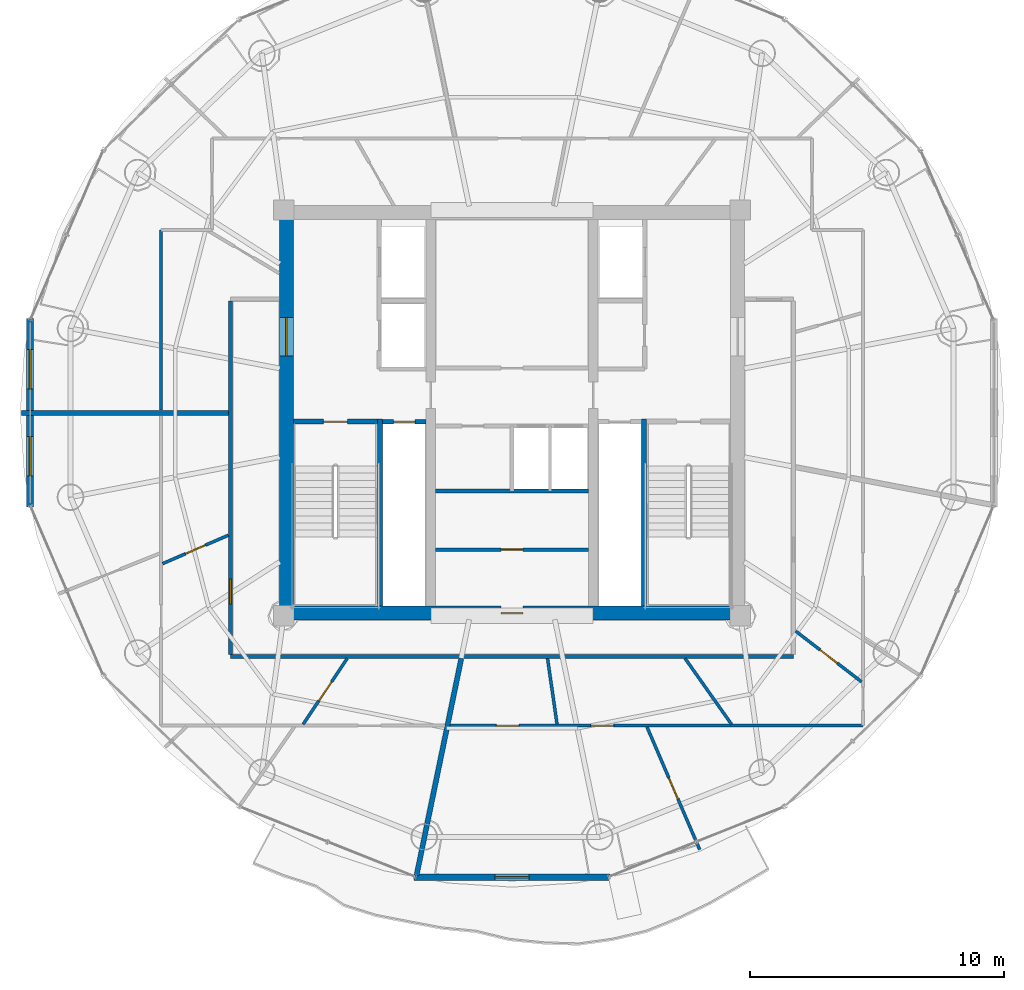
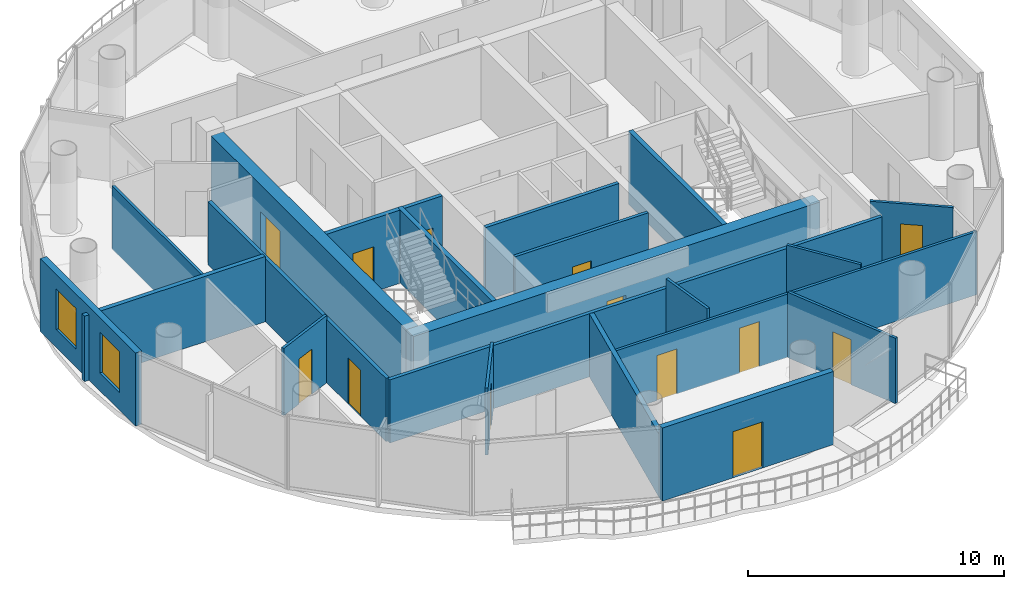
# One storey, part 17 of 23: 22 walls, 13 doors, 2 windows, 15 openings.
"""IFC4 building model written with IfcOpenShell, lengths in metres."""

import ifcopenshell
import ifcopenshell.guid

model = None  # the IFC model being written
_history = None  # IfcOwnerHistory: only IFC2X3 demands one
_inside = {}  # id of a spatial element -> (the spatial element, [elements in it])
_under = {}  # id of a project, library or spatial element -> (it, [spatial elements below it])
_declared = {}  # id of a project -> (the project, [libraries it declares])
_typed = {}  # id of a type object -> (the type object, [elements of that type])
_made_of = {}  # id of a material, layer set ... -> (it, [elements and type objects made of it])


def new_model(schema):
    """Start an empty IFC model of exactly this schema.

    Asked for "IFC4X3", IfcOpenShell would pick the latest addendum, in which some entities
    have other attributes; the version numbers below select the first issue.
    IFC2X3 requires an IfcOwnerHistory on every rooted entity: one is made here for all.
    """
    global model, _history
    if schema == "IFC4X3":
        model = ifcopenshell.file(schema_version=(4, 3, 0, 0))
    else:
        model = ifcopenshell.file(schema=schema)
    _inside.clear()
    _under.clear()
    _declared.clear()
    _typed.clear()
    _made_of.clear()
    _history = None
    if model.schema == "IFC2X3":
        org = make("IfcOrganization", Name="unknown")
        user = make(
            "IfcPersonAndOrganization",
            ThePerson=make("IfcPerson", FamilyName="unknown"),
            TheOrganization=org,
        )
        app = make(
            "IfcApplication",
            ApplicationDeveloper=org,
            Version="unknown",
            ApplicationFullName="unknown",
            ApplicationIdentifier="unknown",
        )
        _history = make(
            "IfcOwnerHistory",
            OwningUser=user,
            OwningApplication=app,
            ChangeAction="ADDED",
            CreationDate=0,
        )
    return model


def make(cls, **values):
    """One entity of the class cls with the attributes given. An attribute that is None is left unset."""
    return model.create_entity(
        cls, **{name: value for name, value in values.items() if value is not None}
    )


def rooted(cls, **values):
    """An entity with a GlobalId (a new one), such as an element, a storey or a relation."""
    return make(cls, GlobalId=ifcopenshell.guid.new(), OwnerHistory=_history, **values)


def si_unit(unit_type, name, prefix=None):
    """IfcSIUnit, for example si_unit("LENGTHUNIT", "METRE", prefix="MILLI")."""
    return make("IfcSIUnit", UnitType=unit_type, Prefix=prefix, Name=name)


def assignment(units):
    """IfcUnitAssignment: the units of a project."""
    return None if units is None else make("IfcUnitAssignment", Units=units)


def point(xyz):
    """IfcCartesianPoint."""
    return None if xyz is None else make("IfcCartesianPoint", Coordinates=xyz)


def direction(xyz):
    """IfcDirection."""
    return None if xyz is None else make("IfcDirection", DirectionRatios=xyz)


def frame(location, z_axis=None, x_axis=None):
    """IfcAxis2Placement3D, a coordinate frame: its origin and axes. An axis left out is left unset."""
    return make(
        "IfcAxis2Placement3D",
        Location=point(location),
        Axis=direction(z_axis),
        RefDirection=direction(x_axis),
    )


def frame_2d(location, x_axis=None):
    """IfcAxis2Placement2D, a coordinate frame in the plane: its origin and x axis."""
    return make(
        "IfcAxis2Placement2D", Location=point(location), RefDirection=direction(x_axis)
    )


def origin():
    """The frame at (0, 0, 0) with its axes left unset."""
    return frame((0.0, 0.0, 0.0))


def place(relative_to, where):
    """IfcLocalPlacement: puts the frame where relative to a parent placement (None: the world)."""
    return make(
        "IfcLocalPlacement", PlacementRelTo=relative_to, RelativePlacement=where
    )


def context(
    kind, dimensions, precision=None, world=None, true_north=None, identifier=None
):
    """IfcGeometricRepresentationContext, for example the 3D "Model" context."""
    return make(
        "IfcGeometricRepresentationContext",
        ContextIdentifier=identifier,
        ContextType=kind,
        CoordinateSpaceDimension=dimensions,
        Precision=precision,
        WorldCoordinateSystem=world,
        TrueNorth=true_north,
    )


def subcontext(parent, identifier, kind, view, scale=None):
    """IfcGeometricRepresentationSubContext, for example "Body" below "Model"."""
    return make(
        "IfcGeometricRepresentationSubContext",
        ContextIdentifier=identifier,
        ContextType=kind,
        ParentContext=parent,
        TargetScale=scale,
        TargetView=view,
    )


def project(units=None, contexts=None):
    """IfcProject with its units and contexts."""
    return rooted(
        "IfcProject",
        Name="project",
        RepresentationContexts=contexts,
        UnitsInContext=assignment(units),
    )


def spatial(cls, under=None, at=None, **own):
    """A site, building, storey or space (cls), placed at a placement, below another one or the project."""
    s = rooted(cls, ObjectPlacement=at, **own)
    if under is not None:
        _under.setdefault(under.id(), (under, []))[1].append(s)
    return s


def profile(cls, at=None, kind="AREA", **sizes):
    """A parametric profile (cls). Its sizes go by their IFC names, for example OverallWidth=200.0."""
    return make(cls, ProfileType=kind, Position=at, **sizes)


def rectangle(**sizes):
    """IfcRectangleProfileDef."""
    return profile("IfcRectangleProfileDef", **sizes)


def extrude(swept, where, along, depth):
    """IfcExtrudedAreaSolid: the profile swept, set in the frame where, extruded along a direction by depth."""
    return make(
        "IfcExtrudedAreaSolid",
        SweptArea=swept,
        Position=where,
        ExtrudedDirection=direction(along),
        Depth=depth,
    )


def shape(context_of_items, identifier, shape_type, items):
    """IfcShapeRepresentation: the items that make up one representation, for example the "Body"."""
    return make(
        "IfcShapeRepresentation",
        ContextOfItems=context_of_items,
        RepresentationIdentifier=identifier,
        RepresentationType=shape_type,
        Items=items,
    )


def source(mapping_origin, context_of_items, identifier, shape_type, items):
    """IfcRepresentationMap: a shape defined once, which mapped items show again and again."""
    return make(
        "IfcRepresentationMap",
        MappingOrigin=mapping_origin,
        MappedRepresentation=shape(context_of_items, identifier, shape_type, items),
    )


def transform(
    local_origin,
    x_axis=None,
    y_axis=None,
    z_axis=None,
    scale=None,
    scale2=None,
    scale3=None,
    uniform=True,
):
    """IfcCartesianTransformationOperator3D, or its non-uniform kind. x_axis, y_axis, z_axis: its Axis1, 2, 3."""
    if uniform:
        return make(
            "IfcCartesianTransformationOperator3D",
            Axis1=direction(x_axis),
            Axis2=direction(y_axis),
            LocalOrigin=point(local_origin),
            Scale=scale,
            Axis3=direction(z_axis),
        )
    return make(
        "IfcCartesianTransformationOperator3DnonUniform",
        Axis1=direction(x_axis),
        Axis2=direction(y_axis),
        LocalOrigin=point(local_origin),
        Scale=scale,
        Axis3=direction(z_axis),
        Scale2=scale2,
        Scale3=scale3,
    )


def mapped(mapping_source, mapping_target):
    """IfcMappedItem: shows the shape of a source again, moved by a transform."""
    return make(
        "IfcMappedItem", MappingSource=mapping_source, MappingTarget=mapping_target
    )


def material(Name=None, Category=None):
    """IfcMaterial."""
    return make("IfcMaterial", Name=Name, Category=Category)


def layer(
    of_material, thickness, ventilated=None, Name=None, Category=None, Priority=None
):
    """IfcMaterialLayer: one layer of a wall or slab, of a material (None: an air gap)."""
    return make(
        "IfcMaterialLayer",
        Material=of_material,
        LayerThickness=thickness,
        IsVentilated=ventilated,
        Name=Name,
        Category=Category,
        Priority=Priority,
    )


def layer_set(layers, Name=None):
    """IfcMaterialLayerSet."""
    return make("IfcMaterialLayerSet", MaterialLayers=layers, LayerSetName=Name)


def made_of(thing, what):
    """Note that an element or type object is made of a material, layer set ...; save() writes the relation."""
    if what is not None:
        _made_of.setdefault(what.id(), (what, []))[1].append(thing)
    return thing


def type_object(cls, material=None, **own):
    """A type object (cls), such as IfcWallType, which elements share."""
    return made_of(rooted(cls, **own), material)


def element(
    cls,
    number,
    at=None,
    inside=None,
    cuts=None,
    type_object=None,
    material=None,
    context=None,
    identifier="Body",
    shape_type=None,
    held_by="IfcProductDefinitionShape",
    body=None,
    shapes=None,
    **own,
):
    """One element of the class cls, such as IfcWall. Its Tag is "e" and its number.

    at: its placement. inside: the storey or other place that contains it. cuts: it is an
    opening in that element (IfcRelVoidsElement). A single representation is given by context,
    identifier, shape_type and body (its items); several are given by shapes. held_by: the class
    of the entity that holds the representations. save() writes the other relations.
    """
    e = rooted(cls, Tag="e%d" % number, ObjectPlacement=at, **own)
    if body is not None:
        shapes = [shape(context, identifier, shape_type, body)]
    if shapes is not None:
        e.Representation = make(held_by, Representations=shapes)
    if inside is not None:
        _inside.setdefault(inside.id(), (inside, []))[1].append(e)
    if cuts is not None:
        rooted(
            "IfcRelVoidsElement", RelatingBuildingElement=cuts, RelatedOpeningElement=e
        )
    if type_object is not None:
        _typed.setdefault(type_object.id(), (type_object, []))[1].append(e)
    return made_of(e, material)


def fill(opening, filler):
    """IfcRelFillsElement: the door or window that sits in an opening."""
    return rooted(
        "IfcRelFillsElement",
        RelatingOpeningElement=opening,
        RelatedBuildingElement=filler,
    )


def aggregate(whole, parts):
    """IfcRelAggregates: a whole, such as a stair, and the parts it consists of."""
    return rooted("IfcRelAggregates", RelatingObject=whole, RelatedObjects=parts)


def save(model, path):
    """Write the relations noted so far, then the file.

    IfcRelAggregates (storeys below a building ...), IfcRelContainedInSpatialStructure (elements
    in a storey), IfcRelDefinesByType, IfcRelAssociatesMaterial and IfcRelDeclares: one each for
    every whole, place, type object, material and project.
    """
    for whole, parts in _under.values():
        aggregate(whole, parts)
    for where, things in _inside.values():
        rooted(
            "IfcRelContainedInSpatialStructure",
            RelatedElements=things,
            RelatingStructure=where,
        )
    for kind, things in _typed.values():
        rooted("IfcRelDefinesByType", RelatedObjects=things, RelatingType=kind)
    for what, things in _made_of.values():
        rooted("IfcRelAssociatesMaterial", RelatedObjects=things, RelatingMaterial=what)
    for by, libraries in _declared.values():
        rooted("IfcRelDeclares", RelatingContext=by, RelatedDefinitions=libraries)
    model.write(path)


model = new_model("IFC4")

# Units and contexts
model_context = context("Model", 3, precision=1e-05, world=origin(), true_north=direction((-0.2419218956, 0.970295726276)))
body_context = subcontext(model_context, "Body", "Model", "MODEL_VIEW")
ifc_project = project(units=[si_unit("LENGTHUNIT", "METRE"), si_unit("AREAUNIT", "SQUARE_METRE"), si_unit("VOLUMEUNIT", "CUBIC_METRE"), si_unit("PLANEANGLEUNIT", "RADIAN"), si_unit("MASSUNIT", "GRAM", prefix="KILO")], contexts=[model_context])

# Site, building, storey
site_placement = place(None, origin())
site = spatial("IfcSite", under=ifc_project, at=site_placement, CompositionType="ELEMENT")
building_placement = place(site_placement, origin())
building = spatial("IfcBuilding", under=site, at=building_placement, Name="Cobrevalo Terracotta Tower", CompositionType="ELEMENT")
storey_placement = place(building_placement, frame((0.0, 0.0, 259.449951171875)))
storey = spatial("IfcBuildingStorey", under=building, at=storey_placement, Name="L68", CompositionType="ELEMENT", Elevation=259.449951171875)

# Wall, opening, door
ifc_material_1 = material(Name="Concrete C50", Category="concrete")
ifc_layer_1 = layer(ifc_material_1, 0.550048828125)
ifc_layer_set_1 = layer_set([ifc_layer_1], Name="Concrete C50")
wall_type_1 = type_object("IfcWallType", Name="Core shear wall 550 mm Concrete C50", PredefinedType="SHEAR", material=ifc_layer_set_1)
wall_1_placement = place(storey_placement, frame((28.824951171875, 18.89990234375, 0.0), z_axis=(0.0, 0.0, 1.0), x_axis=(1.0, 0.0, 0.0)))
wall_1 = element("IfcWall", 1, at=wall_1_placement, inside=storey, type_object=wall_type_1, Name="L68 south core shear wall", PredefinedType="SHEAR", context=body_context, shape_type="SweptSolid", body=[
    extrude(rectangle(XDim=18.35009765625, YDim=0.550048828125, at=frame_2d((9.175048828125, 0.0))), origin(), (0.0, 0.0, 1.0), 3.489990234375),
])
opening_1_placement = place(wall_1_placement, frame((8.75, 0.0, 0.0)))
opening_1 = element("IfcOpeningElement", 2, at=opening_1_placement, cuts=wall_1, Name="Opening ID-22", PredefinedType="OPENING", context=body_context, shape_type="SweptSolid", body=[
    extrude(rectangle(XDim=0.85009765625, YDim=2.10009765625, at=frame_2d((0.425048828125, 1.050048828125))), frame((0.0, 0.28515625, 0.0), z_axis=(0.0, -1.0, 0.0), x_axis=(1.0, 0.0, 0.0)), (0.0, 0.0, 1.0), 0.570068359375),
])
ifc_material_2 = material(Name="Powder-coated steel", Category="steel")
door_type_1 = type_object("IfcDoorType", Name="Riser shaft & meter closet fire access door 850x2100 EI 60", OperationType="NOTDEFINED", PredefinedType="DOOR", material=ifc_material_2)
shared_shape_1 = source(origin(), body_context, "Body", "SweptSolid", [
    extrude(rectangle(XDim=0.85009765625, YDim=2.10009765625, at=frame_2d((0.425048828125, 1.050048828125))), frame((0.0, 0.02490234375, 0.0), z_axis=(0.0, -1.0, 0.0), x_axis=(1.0, 0.0, 0.0)), (0.0, 0.0, 1.0), 0.050048828125),
])
door_1_placement = place(opening_1_placement, origin())
door_1 = element("IfcDoor", 3, at=door_1_placement, inside=storey, type_object=door_type_1, Name="L68 core south plant door Smoke Extract Fan Plant", OperationType="SINGLE_SWING_RIGHT", OverallHeight=2.10009765625, OverallWidth=0.85009765625, PredefinedType="DOOR", context=body_context, shape_type="MappedRepresentation", body=[
    mapped(shared_shape_1, transform((0.0, 0.0, 0.0), scale=1.0)),
])
fill(opening_1, door_1)

wall_2_placement = place(storey_placement, frame((29.10009765625, 19.175048828125, 0.0), z_axis=(0.0, 0.0, 1.0), x_axis=(0.0, 1.0, 0.0)))
wall_2 = element("IfcWall", 4, at=wall_2_placement, inside=storey, type_object=wall_type_1, Name="L68 west core shear wall", PredefinedType="SHEAR", context=body_context, shape_type="SweptSolid", body=[
    extrude(rectangle(XDim=15.25, YDim=0.550048828125, at=frame_2d((7.625, 0.0))), origin(), (0.0, 0.0, 1.0), 3.489990234375),
])
opening_2_placement = place(wall_2_placement, frame((9.875, 0.0, 0.0)))
opening_2 = element("IfcOpeningElement", 5, at=opening_2_placement, cuts=wall_2, Name="Opening ID-14", PredefinedType="OPENING", context=body_context, shape_type="SweptSolid", body=[
    extrude(rectangle(XDim=1.5, YDim=2.199951171875, at=frame_2d((0.75, 1.10009765625))), frame((0.0, 0.28515625, 0.0), z_axis=(0.0, -1.0, 0.0), x_axis=(1.0, 0.0, 0.0)), (0.0, 0.0, 1.0), 0.570068359375),
])
ifc_material_3 = material(Name="Galvanized fire-rated steel", Category="steel")
door_type_2 = type_object("IfcDoorType", Name="Core cross-lobby double fire door 1500x2200 EI 90", OperationType="NOTDEFINED", PredefinedType="DOOR", material=ifc_material_3)
shared_shape_2 = source(origin(), body_context, "Body", "SweptSolid", [
    extrude(rectangle(XDim=1.5, YDim=2.199951171875, at=frame_2d((0.75, 1.10009765625))), frame((0.0, 0.02490234375, 0.0), z_axis=(0.0, -1.0, 0.0), x_axis=(1.0, 0.0, 0.0)), (0.0, 0.0, 1.0), 0.050048828125),
])
door_2_placement = place(opening_2_placement, origin())
door_2 = element("IfcDoor", 6, at=door_2_placement, inside=storey, type_object=door_type_2, Name="L68 west firefighting lobby entrance door", OperationType="DOUBLE_DOOR_SINGLE_SWING", OverallHeight=2.199951171875, OverallWidth=1.5, PredefinedType="DOOR", context=body_context, shape_type="MappedRepresentation", body=[
    mapped(shared_shape_2, transform((0.0, 0.0, 0.0), scale=1.0)),
])
fill(opening_2, door_2)

# Walls
ifc_material_4 = material(Name="Gypsum board on steel stud", Category="steel")
ifc_layer_2 = layer(ifc_material_4, 0.159912109375)
ifc_layer_set_2 = layer_set([ifc_layer_2], Name="Gypsum board on steel stud")
wall_type_2 = type_object("IfcWallType", Name="Fire-rated corridor acoustic partition wall 160 mm", PredefinedType="PARTITIONING", material=ifc_layer_set_2)
wall_3_placement = place(storey_placement, frame((34.989990234375, 23.719970703125, 0.0), z_axis=(0.0, 0.0, 1.0), x_axis=(1.0, 0.0, 0.0)))
element("IfcWall", 7, at=wall_3_placement, inside=storey, type_object=wall_type_2, Name="L68 interior partition IW-L68-MB-S", PredefinedType="PARTITIONING", context=body_context, shape_type="SweptSolid", body=[
    extrude(rectangle(XDim=6.02001953125, YDim=0.159912109375, at=frame_2d((3.010009765625, 0.0))), origin(), (0.0, 0.0, 1.0), 3.489990234375),
])
wall_4_placement = place(storey_placement, frame((26.89501953125, 17.195068359375, 0.0), z_axis=(0.0, 0.0, 1.0), x_axis=(1.0, 0.0, 0.0)))
element("IfcWall", 8, at=wall_4_placement, inside=storey, type_object=wall_type_2, Name="L68 interior partition IW-L68-COR-S", PredefinedType="PARTITIONING", context=body_context, shape_type="SweptSolid", body=[
    extrude(rectangle(XDim=22.2099609375, YDim=0.159912109375, at=frame_2d((11.10498046875, 0.0))), origin(), (0.0, 0.0, 1.0), 3.01513671875),
])

# Wall, opening, door
wall_5_placement = place(storey_placement, frame((26.89501953125, 17.27490234375, 0.0), z_axis=(0.0, 0.0, 1.0), x_axis=(0.0, 1.0, 0.0)))
wall_5 = element("IfcWall", 9, at=wall_5_placement, inside=storey, type_object=wall_type_2, Name="L68 interior partition IW-L68-COR-W", PredefinedType="PARTITIONING", context=body_context, shape_type="SweptSolid", body=[
    extrude(rectangle(XDim=13.925048828125, YDim=0.159912109375, at=frame_2d((6.96240234375, 0.0))), origin(), (0.0, 0.0, 1.0), 3.01513671875),
])
opening_3_placement = place(wall_5_placement, frame((1.992431640625, 0.0, 0.0)))
opening_3 = element("IfcOpeningElement", 10, at=opening_3_placement, cuts=wall_5, Name="Opening ID-05", PredefinedType="OPENING", context=body_context, shape_type="SweptSolid", body=[
    extrude(rectangle(XDim=0.97998046875, YDim=2.199951171875, at=frame_2d((0.489990234375, 1.10009765625))), frame((0.0, 0.08984375, 0.0), z_axis=(0.0, -1.0, 0.0), x_axis=(1.0, 0.0, 0.0)), (0.0, 0.0, 1.0), 0.179931640625),
])
ifc_material_5 = material(Name="Solid hardwood timber", Category="wood")
door_type_3 = type_object("IfcDoorType", Name="Residence entrance fire-rated acoustic timber door 980x2200 EI 60", OperationType="NOTDEFINED", PredefinedType="DOOR", material=ifc_material_5)
shared_shape_3 = source(origin(), body_context, "Body", "SweptSolid", [
    extrude(rectangle(XDim=0.97998046875, YDim=2.199951171875, at=frame_2d((0.489990234375, 1.10009765625))), frame((0.0, 0.02490234375, 0.0), z_axis=(0.0, -1.0, 0.0), x_axis=(1.0, 0.0, 0.0)), (0.0, 0.0, 1.0), 0.050048828125),
])
door_3_placement = place(opening_3_placement, origin())
door_3 = element("IfcDoor", 11, at=door_3_placement, inside=storey, type_object=door_type_3, Name="Flat L68B fire-rated apartment entrance door", OperationType="SINGLE_SWING_RIGHT", OverallHeight=2.199951171875, OverallWidth=0.97998046875, PredefinedType="DOOR", context=body_context, shape_type="MappedRepresentation", body=[
    mapped(shared_shape_3, transform((0.0, 0.0, 0.0), scale=1.0)),
])
fill(opening_3, door_3)

ifc_layer_3 = layer(ifc_material_4, 0.179931640625)
ifc_layer_set_3 = layer_set([ifc_layer_3], Name="Gypsum board on steel stud")
wall_type_3 = type_object("IfcWallType", Name="Fire-rated shaft & lobby acoustic partition wall 180 mm", PredefinedType="PARTITIONING", material=ifc_layer_set_3)
wall_6_placement = place(storey_placement, frame((32.89990234375, 26.449951171875, 0.0), z_axis=(0.0, 0.0, 1.0), x_axis=(1.0, 0.0, 0.0)))
wall_6 = element("IfcWall", 12, at=wall_6_placement, inside=storey, type_object=wall_type_3, Name="L68 interior partition IW-L68-RSW-N", PredefinedType="PARTITIONING", context=body_context, shape_type="SweptSolid", body=[
    extrude(rectangle(XDim=1.710205078125, YDim=0.179931640625, at=frame_2d((0.85498046875, 0.0))), origin(), (0.0, 0.0, 1.0), 3.489990234375),
])
opening_4_placement = place(wall_6_placement, frame((0.429931640625, 0.0, 0.0)))
opening_4 = element("IfcOpeningElement", 13, at=opening_4_placement, cuts=wall_6, Name="Opening ID-22", PredefinedType="OPENING", context=body_context, shape_type="SweptSolid", body=[
    extrude(rectangle(XDim=0.85009765625, YDim=2.10009765625, at=frame_2d((0.425048828125, 1.050048828125))), frame((0.0, 0.10009765625, 0.0), z_axis=(0.0, -1.0, 0.0), x_axis=(1.0, 0.0, 0.0)), (0.0, 0.0, 1.0), 0.199951171875),
])
door_4_placement = place(opening_4_placement, origin())
door_4 = element("IfcDoor", 14, at=door_4_placement, inside=storey, type_object=door_type_1, Name="L68 riser access door RSW", OperationType="SINGLE_SWING_LEFT", OverallHeight=2.10009765625, OverallWidth=0.85009765625, PredefinedType="DOOR", context=body_context, shape_type="MappedRepresentation", body=[
    mapped(shared_shape_1, transform((0.0, 0.0, 0.0), scale=1.0)),
])
fill(opening_4, door_4)

# Walls
ifc_material_6 = material(Name="Autoclaved aerated concrete block", Category="concrete")
ifc_layer_4 = layer(ifc_material_6, 0.199951171875)
ifc_layer_set_4 = layer_set([ifc_layer_4], Name="Autoclaved aerated concrete block")
wall_type_4 = type_object("IfcWallType", Name="Fire-rated stair, shaft & demising masonry wall 200 mm", PredefinedType="PARTITIONING", material=ifc_layer_set_4)
wall_7_placement = place(storey_placement, frame((26.81494140625, 26.800048828125, 0.0), z_axis=(0.0, 0.0, 1.0), x_axis=(-1.0, 0.0, 0.0)))
element("IfcWall", 15, at=wall_7_placement, inside=storey, type_object=wall_type_4, Name="L68 interior partition IW-L68-DEM-2", PredefinedType="PARTITIONING", context=body_context, shape_type="SweptSolid", body=[
    extrude(rectangle(XDim=8.155029296875, YDim=0.199951171875, at=frame_2d((4.07763671875, 0.0))), origin(), (0.0, 0.0, 1.0), 3.12109375),
])
wall_8_placement = place(storey_placement, frame((36.00146484375, 17.114990234375, 0.0), z_axis=(0.0, 0.0, 1.0), x_axis=(-0.202108543081, -0.979363128167, 0.0)))
element("IfcWall", 16, at=wall_8_placement, inside=storey, type_object=wall_type_4, Name="L68 interior partition IW-L68-DEM-3", PredefinedType="PARTITIONING", context=body_context, shape_type="SweptSolid", body=[
    extrude(rectangle(XDim=8.738525390625, YDim=0.199951171875, at=frame_2d((4.369140625, 0.0))), origin(), (0.0, 0.0, 1.0), 3.01513671875),
])

# Wall, openings, windows
ifc_layer_5 = layer(ifc_material_6, 0.280029296875)
ifc_layer_set_5 = layer_set([ifc_layer_5], Name="Autoclaved aerated concrete block")
wall_type_5 = type_object("IfcWallType", Name="Insulated tower spandrel & pier wall 280 mm with terracotta rainscreen", PredefinedType="SOLIDWALL", material=ifc_layer_set_5)
wall_9_placement = place(storey_placement, frame((19.002197265625, 30.522216796875, 0.0), z_axis=(0.0, 0.0, 1.0), x_axis=(0.0, -1.0, 0.0)))
wall_9 = element("IfcWall", 17, at=wall_9_placement, inside=storey, type_object=wall_type_5, Name="L68 terracotta rainscreen pier wall S08", PredefinedType="SOLIDWALL", context=body_context, shape_type="SweptSolid", body=[
    extrude(rectangle(XDim=7.444580078125, YDim=0.280029296875, at=frame_2d((3.72216796875, 0.0))), origin(), (0.0, 0.0, 1.0), 3.489990234375),
])
opening_5_placement = place(wall_9_placement, frame((1.235107421875, 0.0, 0.85009765625)))
opening_5 = element("IfcOpeningElement", 18, at=opening_5_placement, cuts=wall_9, Name="Opening WN-12", PredefinedType="OPENING", context=body_context, shape_type="SweptSolid", body=[
    extrude(rectangle(XDim=1.550048828125, YDim=1.949951171875, at=frame_2d((0.77490234375, 0.97509765625))), frame((0.0, 0.14990234375, 0.0), z_axis=(0.0, -1.0, 0.0), x_axis=(1.0, 0.0, 0.0)), (0.0, 0.0, 1.0), 0.300048828125),
])
opening_6_placement = place(wall_9_placement, frame((4.65966796875, 0.0, 0.85009765625)))
opening_6 = element("IfcOpeningElement", 19, at=opening_6_placement, cuts=wall_9, Name="Opening WN-12", PredefinedType="OPENING", context=body_context, shape_type="SweptSolid", body=[
    extrude(rectangle(XDim=1.550048828125, YDim=1.949951171875, at=frame_2d((0.77490234375, 0.97509765625))), frame((0.0, 0.14990234375, 0.0), z_axis=(0.0, -1.0, 0.0), x_axis=(1.0, 0.0, 0.0)), (0.0, 0.0, 1.0), 0.300048828125),
])
ifc_material_7 = material(Name="Solar-control low-E double glazing", Category="glass")
window_type = type_object("IfcWindowType", Name="Solar-control low-E aluminium window 1550x1950", PartitioningType="SINGLE_PANEL", PredefinedType="WINDOW", material=ifc_material_7)
shared_shape_4 = source(origin(), body_context, "Body", "SweptSolid", [
    extrude(rectangle(XDim=1.550048828125, YDim=1.949951171875, at=frame_2d((0.77490234375, 0.97509765625))), frame((0.0, 0.030029296875, 0.0), z_axis=(0.0, -1.0, 0.0), x_axis=(1.0, 0.0, 0.0)), (0.0, 0.0, 1.0), 0.06005859375),
])
window_1_placement = place(opening_5_placement, origin())
window_1 = element("IfcWindow", 20, at=window_1_placement, inside=storey, type_object=window_type, Name="L68 suite window S08A", OverallHeight=1.949951171875, OverallWidth=1.550048828125, PartitioningType="SINGLE_PANEL", PredefinedType="WINDOW", context=body_context, shape_type="MappedRepresentation", body=[
    mapped(shared_shape_4, transform((0.0, 0.0, 0.0), scale=1.0)),
])
fill(opening_5, window_1)
window_2_placement = place(opening_6_placement, origin())
window_2 = element("IfcWindow", 21, at=window_2_placement, inside=storey, type_object=window_type, Name="L68 suite window S08B", OverallHeight=1.949951171875, OverallWidth=1.550048828125, PartitioningType="SINGLE_PANEL", PredefinedType="WINDOW", context=body_context, shape_type="MappedRepresentation", body=[
    mapped(shared_shape_4, transform((0.0, 0.0, 0.0), scale=1.0)),
])
fill(opening_6, window_2)

# Wall, opening, door
ifc_layer_6 = layer(ifc_material_6, 0.139892578125)
ifc_layer_set_6 = layer_set([ifc_layer_6], Name="Autoclaved aerated concrete block")
wall_type_6 = type_object("IfcWallType", Name="Moisture-resistant wet-room & core service partition 140 mm", PredefinedType="PARTITIONING", material=ifc_layer_set_6)
wall_10_placement = place(storey_placement, frame((34.989990234375, 21.407470703125, 0.0), z_axis=(0.0, 0.0, 1.0), x_axis=(1.0, 0.0, 0.0)))
wall_10 = element("IfcWall", 22, at=wall_10_placement, inside=storey, type_object=wall_type_6, Name="L68 interior partition IW-L68-KVS-H", PredefinedType="PARTITIONING", context=body_context, shape_type="SweptSolid", body=[
    extrude(rectangle(XDim=6.02001953125, YDim=0.139892578125, at=frame_2d((3.010009765625, 0.0))), origin(), (0.0, 0.0, 1.0), 3.489990234375),
])
opening_7_placement = place(wall_10_placement, frame((2.5849609375, 0.0, 0.0)))
opening_7 = element("IfcOpeningElement", 23, at=opening_7_placement, cuts=wall_10, Name="Opening ID-22", PredefinedType="OPENING", context=body_context, shape_type="SweptSolid", body=[
    extrude(rectangle(XDim=0.85009765625, YDim=2.10009765625, at=frame_2d((0.425048828125, 1.050048828125))), frame((0.0, 0.080078125, 0.0), z_axis=(0.0, -1.0, 0.0), x_axis=(1.0, 0.0, 0.0)), (0.0, 0.0, 1.0), 0.159912109375),
])
door_5_placement = place(opening_7_placement, origin())
door_5 = element("IfcDoor", 24, at=door_5_placement, inside=storey, type_object=door_type_1, Name="L68 core manifold inner door", OperationType="SINGLE_SWING_LEFT", OverallHeight=2.10009765625, OverallWidth=0.85009765625, PredefinedType="DOOR", context=body_context, shape_type="MappedRepresentation", body=[
    mapped(shared_shape_1, transform((0.0, 0.0, 0.0), scale=1.0)),
])
fill(opening_7, door_5)

ifc_layer_7 = layer(ifc_material_6, 0.260009765625)
ifc_layer_set_7 = layer_set([ifc_layer_7], Name="Autoclaved aerated concrete block")
wall_type_7 = type_object("IfcWallType", Name="Recessed balcony loggia insulated exterior wall 260 mm", PredefinedType="SOLIDWALL", material=ifc_layer_set_7)
wall_11_placement = place(storey_placement, frame((34.14111328125, 8.48876953125, 0.0), z_axis=(0.0, 0.0, 1.0), x_axis=(1.0, 0.0, 0.0)))
wall_11 = element("IfcWall", 25, at=wall_11_placement, inside=storey, type_object=wall_type_7, Name="L68 balcony loggia wall S12", PredefinedType="SOLIDWALL", context=body_context, shape_type="SweptSolid", body=[
    extrude(rectangle(XDim=7.7177734375, YDim=0.260009765625, at=frame_2d((3.85888671875, 0.0))), origin(), (0.0, 0.0, 1.0), 3.489990234375),
])
opening_8_placement = place(wall_11_placement, frame((3.183837890625, 0.0, 0.0)))
opening_8 = element("IfcOpeningElement", 26, at=opening_8_placement, cuts=wall_11, Name="Opening ED-05", PredefinedType="OPENING", context=body_context, shape_type="SweptSolid", body=[
    extrude(rectangle(XDim=1.35009765625, YDim=2.199951171875, at=frame_2d((0.675048828125, 1.10009765625))), frame((0.0, 0.14013671875, 0.0), z_axis=(0.0, -1.0, 0.0), x_axis=(1.0, 0.0, 0.0)), (0.0, 0.0, 1.0), 0.280029296875),
])
ifc_material_8 = material(Name="Anodized aluminium and laminated glass", Category="aluminium")
door_type_4 = type_object("IfcDoorType", Name="Suite balcony acoustic glazed terrace door 1350x2200", OperationType="NOTDEFINED", PredefinedType="DOOR", material=ifc_material_8)
shared_shape_5 = source(origin(), body_context, "Body", "SweptSolid", [
    extrude(rectangle(XDim=1.35009765625, YDim=2.199951171875, at=frame_2d((0.675048828125, 1.10009765625))), frame((0.0, 0.02490234375, 0.0), z_axis=(0.0, -1.0, 0.0), x_axis=(1.0, 0.0, 0.0)), (0.0, 0.0, 1.0), 0.050048828125),
])
door_6_placement = place(opening_8_placement, frame((1.35009765625, 0.0, 0.0), z_axis=(0.0, 0.0, 1.0), x_axis=(-1.0, 0.0, 0.0)))
door_6 = element("IfcDoor", 27, at=door_6_placement, inside=storey, type_object=door_type_4, Name="L68 glazed balcony terrace door 2", OperationType="SINGLE_SWING_RIGHT", OverallHeight=2.199951171875, OverallWidth=1.35009765625, PredefinedType="DOOR", context=body_context, shape_type="MappedRepresentation", body=[
    mapped(shared_shape_5, transform((0.0, 0.0, 0.0), scale=1.0)),
])
fill(opening_8, door_6)

# Wall
ifc_layer_8 = layer(ifc_material_4, 0.1201171875)
ifc_layer_set_8 = layer_set([ifc_layer_8], Name="Gypsum board on steel stud")
wall_type_8 = type_object("IfcWallType", Name="Residential internal acoustic stud partition 120 mm", PredefinedType="PARTITIONING", material=ifc_layer_set_8)
wall_12_placement = place(storey_placement, frame((24.1650390625, 26.902099609375, 0.0), z_axis=(0.0, 0.0, 1.0), x_axis=(0.0, 1.0, 0.0)))
element("IfcWall", 28, at=wall_12_placement, inside=storey, type_object=wall_type_8, Name="L68 interior partition IW-L68-U1-RING0_0", PredefinedType="PARTITIONING", context=body_context, shape_type="SweptSolid", body=[
    extrude(rectangle(XDim=7.10791015625, YDim=0.1201171875, at=frame_2d((3.553955078125, 0.0))), origin(), (0.0, 0.0, 1.0), 3.01513671875),
])

# Wall, opening, door
wall_13_placement = place(storey_placement, frame((26.81494140625, 21.9716796875, 0.0), z_axis=(0.0, 0.0, 1.0), x_axis=(-0.918135987469, -0.396265452082, 0.0)))
wall_13 = element("IfcWall", 29, at=wall_13_placement, inside=storey, type_object=wall_type_8, Name="L68 interior partition IW-L68-U2-IRAD1", PredefinedType="PARTITIONING", context=body_context, shape_type="SweptSolid", body=[
    extrude(rectangle(XDim=2.82421875, YDim=0.1201171875, at=frame_2d((1.412109375, 0.0))), origin(), (0.0, 0.0, 1.0), 3.208984375),
])
opening_9_placement = place(wall_13_placement, frame((0.982177734375, 0.0, 0.0)))
opening_9 = element("IfcOpeningElement", 30, at=opening_9_placement, cuts=wall_13, Name="Opening ID-19", PredefinedType="OPENING", context=body_context, shape_type="SweptSolid", body=[
    extrude(rectangle(XDim=0.860107421875, YDim=2.14990234375, at=frame_2d((0.43017578125, 1.074951171875))), frame((0.0, 0.070068359375, 0.0), z_axis=(0.0, -1.0, 0.0), x_axis=(1.0, 0.0, 0.0)), (0.0, 0.0, 1.0), 0.14013671875),
])
ifc_material_9 = material(Name="Moisture-sealed timber", Category="wood")
door_type_5 = type_object("IfcDoorType", Name="Suite bathroom internal timber door 860x2150", OperationType="NOTDEFINED", PredefinedType="DOOR", material=ifc_material_9)
shared_shape_6 = source(origin(), body_context, "Body", "SweptSolid", [
    extrude(rectangle(XDim=0.860107421875, YDim=2.14990234375, at=frame_2d((0.43017578125, 1.074951171875))), frame((0.0, 0.02490234375, 0.0), z_axis=(0.0, -1.0, 0.0), x_axis=(1.0, 0.0, 0.0)), (0.0, 0.0, 1.0), 0.050048828125),
])
door_7_placement = place(opening_9_placement, frame((0.860107421875, 0.0, 0.0), z_axis=(0.0, 0.0, 1.0), x_axis=(-1.0, 0.0, 0.0)))
door_7 = element("IfcDoor", 31, at=door_7_placement, inside=storey, type_object=door_type_5, Name="Flat L68B Primary Bathroom internal door", OperationType="SINGLE_SWING_LEFT", OverallHeight=2.14990234375, OverallWidth=0.860107421875, PredefinedType="DOOR", context=body_context, shape_type="MappedRepresentation", body=[
    mapped(shared_shape_6, transform((0.0, 0.0, 0.0), scale=1.0)),
])
fill(opening_9, door_7)

wall_14_placement = place(storey_placement, frame((31.50537109375, 17.114990234375, 0.0), z_axis=(0.0, 0.0, 1.0), x_axis=(-0.557003057019, -0.83051044212, 0.0)))
wall_14 = element("IfcWall", 32, at=wall_14_placement, inside=storey, type_object=wall_type_8, Name="L68 interior partition IW-L68-U2-IRAD2", PredefinedType="PARTITIONING", context=body_context, shape_type="SweptSolid", body=[
    extrude(rectangle(XDim=3.128662109375, YDim=0.1201171875, at=frame_2d((1.564453125, 0.0))), origin(), (0.0, 0.0, 1.0), 3.208984375),
])
opening_10_placement = place(wall_14_placement, frame((1.1142578125, 0.0, 0.0)))
opening_10 = element("IfcOpeningElement", 33, at=opening_10_placement, cuts=wall_14, Name="Opening ID-12", PredefinedType="OPENING", context=body_context, shape_type="SweptSolid", body=[
    extrude(rectangle(XDim=0.89990234375, YDim=2.14990234375, at=frame_2d((0.449951171875, 1.074951171875))), frame((0.0, 0.070068359375, 0.0), z_axis=(0.0, -1.0, 0.0), x_axis=(1.0, 0.0, 0.0)), (0.0, 0.0, 1.0), 0.14013671875),
])
ifc_material_10 = material(Name="Engineered timber", Category="wood")
door_type_6 = type_object("IfcDoorType", Name="Internal residence & suite timber door 900x2150", OperationType="NOTDEFINED", PredefinedType="DOOR", material=ifc_material_10)
shared_shape_7 = source(origin(), body_context, "Body", "SweptSolid", [
    extrude(rectangle(XDim=0.89990234375, YDim=2.14990234375, at=frame_2d((0.449951171875, 1.074951171875))), frame((0.0, 0.02490234375, 0.0), z_axis=(0.0, -1.0, 0.0), x_axis=(1.0, 0.0, 0.0)), (0.0, 0.0, 1.0), 0.050048828125),
])
door_8_placement = place(opening_10_placement, origin())
door_8 = element("IfcDoor", 34, at=door_8_placement, inside=storey, type_object=door_type_6, Name="Flat L68B Kitchen internal door", OperationType="SINGLE_SWING_RIGHT", OverallHeight=2.14990234375, OverallWidth=0.89990234375, PredefinedType="DOOR", context=body_context, shape_type="MappedRepresentation", body=[
    mapped(shared_shape_7, transform((0.0, 0.0, 0.0), scale=1.0)),
])
fill(opening_10, door_8)

# Wall, openings, doors
wall_15_placement = place(storey_placement, frame((51.8349609375, 14.465087890625, 0.0), z_axis=(0.0, 0.0, 1.0), x_axis=(-1.0, 0.0, 0.0)))
wall_15 = element("IfcWall", 35, at=wall_15_placement, inside=storey, type_object=wall_type_8, Name="L68 interior partition IW-L68-U3-RING1_0", PredefinedType="PARTITIONING", context=body_context, shape_type="SweptSolid", body=[
    extrude(rectangle(XDim=16.2783203125, YDim=0.1201171875, at=frame_2d((8.13916015625, 0.0))), origin(), (0.0, 0.0, 1.0), 3.01513671875),
])
opening_11_placement = place(wall_15_placement, frame((9.82958984375, 0.0, 0.0)))
opening_11 = element("IfcOpeningElement", 36, at=opening_11_placement, cuts=wall_15, Name="Opening ID-12", PredefinedType="OPENING", context=body_context, shape_type="SweptSolid", body=[
    extrude(rectangle(XDim=0.89990234375, YDim=2.14990234375, at=frame_2d((0.449951171875, 1.074951171875))), frame((0.0, 0.070068359375, 0.0), z_axis=(0.0, -1.0, 0.0), x_axis=(1.0, 0.0, 0.0)), (0.0, 0.0, 1.0), 0.14013671875),
])
opening_12_placement = place(wall_15_placement, frame((13.554443359375, 0.0, 0.0)))
opening_12 = element("IfcOpeningElement", 37, at=opening_12_placement, cuts=wall_15, Name="Opening ID-12", PredefinedType="OPENING", context=body_context, shape_type="SweptSolid", body=[
    extrude(rectangle(XDim=0.89990234375, YDim=2.14990234375, at=frame_2d((0.449951171875, 1.074951171875))), frame((0.0, 0.070068359375, 0.0), z_axis=(0.0, -1.0, 0.0), x_axis=(1.0, 0.0, 0.0)), (0.0, 0.0, 1.0), 0.14013671875),
])
door_9_placement = place(opening_11_placement, frame((0.89990234375, 0.0, 0.0), z_axis=(0.0, 0.0, 1.0), x_axis=(-1.0, 0.0, 0.0)))
door_9 = element("IfcDoor", 38, at=door_9_placement, inside=storey, type_object=door_type_6, Name="Flat L68C Kitchen internal door", OperationType="SINGLE_SWING_LEFT", OverallHeight=2.14990234375, OverallWidth=0.89990234375, PredefinedType="DOOR", context=body_context, shape_type="MappedRepresentation", body=[
    mapped(shared_shape_7, transform((0.0, 0.0, 0.0), scale=1.0)),
])
fill(opening_11, door_9)
door_10_placement = place(opening_12_placement, frame((0.89990234375, 0.0, 0.0), z_axis=(0.0, 0.0, 1.0), x_axis=(-1.0, 0.0, 0.0)))
door_10 = element("IfcDoor", 39, at=door_10_placement, inside=storey, type_object=door_type_6, Name="Flat L68C Private Library Meeting Room internal door", OperationType="SINGLE_SWING_RIGHT", OverallHeight=2.14990234375, OverallWidth=0.89990234375, PredefinedType="DOOR", context=body_context, shape_type="MappedRepresentation", body=[
    mapped(shared_shape_7, transform((0.0, 0.0, 0.0), scale=1.0)),
])
fill(opening_12, door_10)

# Wall, opening, door
wall_16_placement = place(storey_placement, frame((43.324951171875, 14.407958984375, 0.0), z_axis=(0.0, 0.0, 1.0), x_axis=(0.394816056217, -0.918760187292, 0.0)))
wall_16 = element("IfcWall", 40, at=wall_16_placement, inside=storey, type_object=wall_type_8, Name="L68 interior partition IW-L68-U3-ORAD1", PredefinedType="PARTITIONING", context=body_context, shape_type="SweptSolid", body=[
    extrude(rectangle(XDim=5.256103515625, YDim=0.1201171875, at=frame_2d((2.6279296875, 0.0))), origin(), (0.0, 0.0, 1.0), 3.12109375),
])
opening_13_placement = place(wall_16_placement, frame((2.177978515625, 0.0, 0.0)))
opening_13 = element("IfcOpeningElement", 41, at=opening_13_placement, cuts=wall_16, Name="Opening ID-12", PredefinedType="OPENING", context=body_context, shape_type="SweptSolid", body=[
    extrude(rectangle(XDim=0.89990234375, YDim=2.14990234375, at=frame_2d((0.449951171875, 1.074951171875))), frame((0.0, 0.070068359375, 0.0), z_axis=(0.0, -1.0, 0.0), x_axis=(1.0, 0.0, 0.0)), (0.0, 0.0, 1.0), 0.14013671875),
])
door_11_placement = place(opening_13_placement, frame((0.89990234375, 0.0, 0.0), z_axis=(0.0, 0.0, 1.0), x_axis=(-1.0, 0.0, 0.0)))
door_11 = element("IfcDoor", 42, at=door_11_placement, inside=storey, type_object=door_type_6, Name="Flat L68C Living and Dining Room internal door", OperationType="SINGLE_SWING_RIGHT", OverallHeight=2.14990234375, OverallWidth=0.89990234375, PredefinedType="DOOR", context=body_context, shape_type="MappedRepresentation", body=[
    mapped(shared_shape_7, transform((0.0, 0.0, 0.0), scale=1.0)),
])
fill(opening_13, door_11)

# Walls
wall_17_placement = place(storey_placement, frame((39.401611328125, 17.114990234375, 0.0), z_axis=(0.0, 0.0, 1.0), x_axis=(0.143185278857, -0.989695900728, 0.0)))
element("IfcWall", 43, at=wall_17_placement, inside=storey, type_object=wall_type_8, Name="L68 interior partition IW-L68-U3-IRAD1", PredefinedType="PARTITIONING", context=body_context, shape_type="SweptSolid", body=[
    extrude(rectangle(XDim=2.615478515625, YDim=0.1201171875, at=frame_2d((1.3076171875, 0.0))), origin(), (0.0, 0.0, 1.0), 3.489990234375),
])
wall_18_placement = place(storey_placement, frame((44.825927734375, 17.114990234375, 0.0), z_axis=(0.0, 0.0, 1.0), x_axis=(0.57609227969, -0.817384661761, 0.0)))
element("IfcWall", 44, at=wall_18_placement, inside=storey, type_object=wall_type_8, Name="L68 interior partition IW-L68-U3-IRAD2", PredefinedType="PARTITIONING", context=body_context, shape_type="SweptSolid", body=[
    extrude(rectangle(XDim=3.18017578125, YDim=0.1201171875, at=frame_2d((1.590087890625, 0.0))), origin(), (0.0, 0.0, 1.0), 3.208984375),
])

# Wall, opening, door
wall_19_placement = place(storey_placement, frame((49.18505859375, 18.1923828125, 0.0), z_axis=(0.0, 0.0, 1.0), x_axis=(0.792502290575, -0.609868936275, 0.0)))
wall_19 = element("IfcWall", 45, at=wall_19_placement, inside=storey, type_object=wall_type_8, Name="L68 interior partition IW-L68-U3-IRAD3", PredefinedType="PARTITIONING", context=body_context, shape_type="SweptSolid", body=[
    extrude(rectangle(XDim=3.28173828125, YDim=0.1201171875, at=frame_2d((1.640869140625, 0.0))), origin(), (0.0, 0.0, 1.0), 3.12109375),
])
opening_14_placement = place(wall_19_placement, frame((1.2109375, 0.0, 0.0)))
opening_14 = element("IfcOpeningElement", 46, at=opening_14_placement, cuts=wall_19, Name="Opening ID-19", PredefinedType="OPENING", context=body_context, shape_type="SweptSolid", body=[
    extrude(rectangle(XDim=0.860107421875, YDim=2.14990234375, at=frame_2d((0.43017578125, 1.074951171875))), frame((0.0, 0.070068359375, 0.0), z_axis=(0.0, -1.0, 0.0), x_axis=(1.0, 0.0, 0.0)), (0.0, 0.0, 1.0), 0.14013671875),
])
door_12_placement = place(opening_14_placement, frame((0.860107421875, 0.0, 0.0), z_axis=(0.0, 0.0, 1.0), x_axis=(-1.0, 0.0, 0.0)))
door_12 = element("IfcDoor", 47, at=door_12_placement, inside=storey, type_object=door_type_5, Name="Flat L68C Primary Bathroom internal door", OperationType="SINGLE_SWING_LEFT", OverallHeight=2.14990234375, OverallWidth=0.860107421875, PredefinedType="DOOR", context=body_context, shape_type="MappedRepresentation", body=[
    mapped(shared_shape_6, transform((0.0, 0.0, 0.0), scale=1.0)),
])
fill(opening_14, door_12)

# Wall
ifc_layer_9 = layer(ifc_material_1, 0.199951171875)
ifc_layer_set_9 = layer_set([ifc_layer_9], Name="Concrete C50")
wall_type_9 = type_object("IfcWallType", Name="Structural core & podium stair-shaft RC wall 200 mm Concrete C50", PredefinedType="SOLIDWALL", material=ifc_layer_set_9)
wall_20_placement = place(storey_placement, frame((32.794921875, 19.175048828125, 0.0), z_axis=(0.0, 0.0, 1.0), x_axis=(0.0, 1.0, 0.0)))
element("IfcWall", 48, at=wall_20_placement, inside=storey, type_object=wall_type_9, Name="L68 ST-1 east structural shaft wall", PredefinedType="SOLIDWALL", context=body_context, shape_type="SweptSolid", body=[
    extrude(rectangle(XDim=7.375, YDim=0.199951171875, at=frame_2d((3.6875, 0.0))), origin(), (0.0, 0.0, 1.0), 3.489990234375),
])

# Wall, opening, door
wall_21_placement = place(storey_placement, frame((29.375, 26.449951171875, 0.0), z_axis=(0.0, 0.0, 1.0), x_axis=(1.0, 0.0, 0.0)))
wall_21 = element("IfcWall", 49, at=wall_21_placement, inside=storey, type_object=wall_type_9, Name="L68 ST-1 north structural shaft wall", PredefinedType="SOLIDWALL", context=body_context, shape_type="SweptSolid", body=[
    extrude(rectangle(XDim=3.320068359375, YDim=0.199951171875, at=frame_2d((1.66015625, 0.0))), origin(), (0.0, 0.0, 1.0), 3.489990234375),
])
opening_15_placement = place(wall_21_placement, frame((1.18505859375, 0.0, 0.0)))
opening_15 = element("IfcOpeningElement", 50, at=opening_15_placement, cuts=wall_21, Name="Opening ID-04", PredefinedType="OPENING", context=body_context, shape_type="SweptSolid", body=[
    extrude(rectangle(XDim=0.949951171875, YDim=2.14990234375, at=frame_2d((0.47509765625, 1.074951171875))), frame((0.0, 0.10986328125, 0.0), z_axis=(0.0, -1.0, 0.0), x_axis=(1.0, 0.0, 0.0)), (0.0, 0.0, 1.0), 0.219970703125),
])
door_type_7 = type_object("IfcDoorType", Name="Stair & firefighting lobby fire door 950x2150 EI 90", OperationType="NOTDEFINED", PredefinedType="DOOR", material=ifc_material_3)
shared_shape_8 = source(origin(), body_context, "Body", "SweptSolid", [
    extrude(rectangle(XDim=0.949951171875, YDim=2.14990234375, at=frame_2d((0.47509765625, 1.074951171875))), frame((0.0, 0.02490234375, 0.0), z_axis=(0.0, -1.0, 0.0), x_axis=(1.0, 0.0, 0.0)), (0.0, 0.0, 1.0), 0.050048828125),
])
door_13_placement = place(opening_15_placement, origin())
door_13 = element("IfcDoor", 51, at=door_13_placement, inside=storey, type_object=door_type_7, Name="L68 protected stair ST1 fire door", OperationType="SINGLE_SWING_LEFT", OverallHeight=2.14990234375, OverallWidth=0.949951171875, PredefinedType="DOOR", context=body_context, shape_type="MappedRepresentation", body=[
    mapped(shared_shape_8, transform((0.0, 0.0, 0.0), scale=1.0)),
])
fill(opening_15, door_13)

# Wall
wall_22_placement = place(storey_placement, frame((43.205078125, 19.175048828125, 0.0), z_axis=(0.0, 0.0, 1.0), x_axis=(0.0, 1.0, 0.0)))
element("IfcWall", 52, at=wall_22_placement, inside=storey, type_object=wall_type_9, Name="L68 ST-2 west structural shaft wall", PredefinedType="SOLIDWALL", context=body_context, shape_type="SweptSolid", body=[
    extrude(rectangle(XDim=7.375, YDim=0.199951171875, at=frame_2d((3.6875, 0.0))), origin(), (0.0, 0.0, 1.0), 3.489990234375),
])

save(model, "model.ifc")
